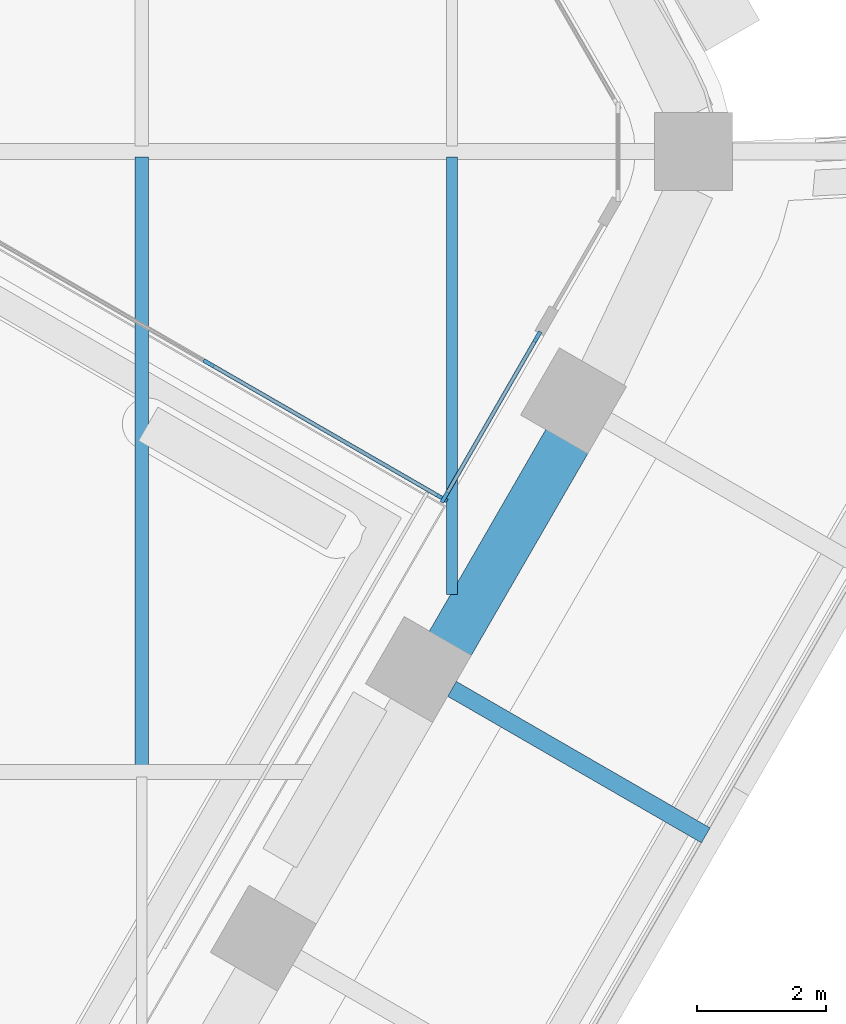
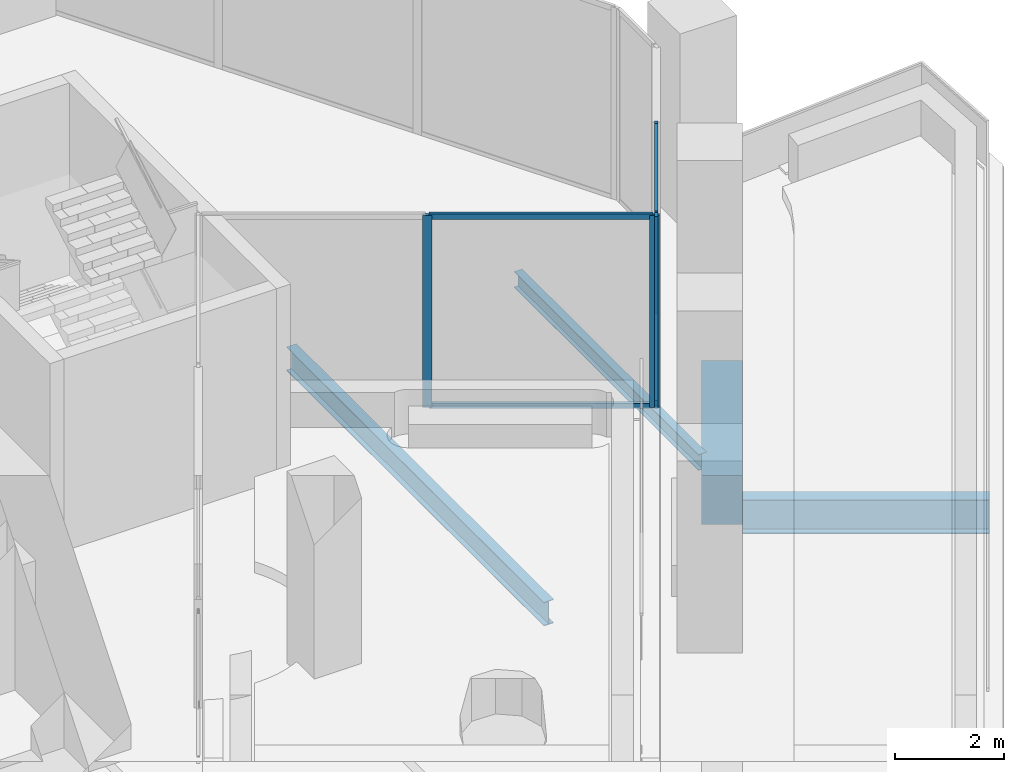
# One storey, part 6 of 25: 8 members, 4 beams, 2 elements without a shape of their own.
"""IFC4 building model written with IfcOpenShell, lengths in metres."""

from ifc_helpers import new_model, si_unit, direction, frame, origin, origin_2d, place, context, subcontext, project, spatial, rectangle, i_section, extrude, material, material_profile, profile_set, type_object, element, aggregate, save


model = new_model("IFC4")

# Units and contexts
model_context = context("Model", 3, precision=1e-05, world=origin(), true_north=direction((0.0, 1.0)))
body_context = subcontext(model_context, "Body", "Model", "MODEL_VIEW")
ifc_project = project(units=[si_unit("LENGTHUNIT", "METRE"), si_unit("AREAUNIT", "SQUARE_METRE"), si_unit("VOLUMEUNIT", "CUBIC_METRE"), si_unit("PLANEANGLEUNIT", "RADIAN"), si_unit("MASSUNIT", "GRAM", prefix="KILO")], contexts=[model_context])

# Site, building, storey
site_placement = place(None, origin())
site = spatial("IfcSite", under=ifc_project, at=site_placement, CompositionType="ELEMENT")
building_placement = place(site_placement, origin())
building = spatial("IfcBuilding", under=site, at=building_placement, Name="Kolab Exchange Tower", CompositionType="ELEMENT")
storey_placement = place(building_placement, frame((0.0, 0.0, 91.39990234375)))
storey = spatial("IfcBuildingStorey", under=building, at=storey_placement, Name="L17", CompositionType="ELEMENT", Elevation=91.39990234375)

# Beams
ifc_material_1 = material(Name="Steel S355", Category="steel")
ifc_material_profile_1 = material_profile(ifc_material_1, i_section(OverallWidth=0.1708984375, OverallDepth=0.35498046875, WebThickness=0.007080078125, FlangeThickness=0.01171875, at=origin_2d()), Name="W360X51")
ifc_profile_set_1 = profile_set([ifc_material_profile_1], Name="Steel S355")
beam_type_1 = type_object("IfcBeamType", Name="FLOOR BEAM W360X51", PredefinedType="BEAM", material=ifc_profile_set_1)
beam_1_placement = place(storey_placement, frame((28.800048828125, -6.853759765625, -0.37744140625), z_axis=(0.0, 1.0, 0.0), x_axis=(-1.0, 0.0, 0.0)))
element("IfcBeam", 1, at=beam_1_placement, inside=storey, type_object=beam_type_1, Name="beam/L17/fr/050", PredefinedType="BEAM", context=body_context, shape_type="SweptSolid", body=[
    extrude(i_section(OverallWidth=0.1708984375, OverallDepth=0.35498046875, WebThickness=0.007080078125, FlangeThickness=0.01171875, at=origin_2d()), origin(), (0.0, 0.0, 1.0), 6.766845703125),
])
ifc_material_profile_2 = material_profile(ifc_material_1, i_section(OverallWidth=0.208984375, OverallDepth=0.532958984375, WebThickness=0.01025390625, FlangeThickness=0.015625, at=origin_2d()), Name="W530X92")
ifc_profile_set_2 = profile_set([ifc_material_profile_2], Name="Steel S355")
beam_type_2 = type_object("IfcBeamType", Name="FLOOR BEAM W530X92", PredefinedType="BEAM", material=ifc_profile_set_2)
beam_2_placement = place(storey_placement, frame((24.0, -9.52587890625, -0.46630859375), z_axis=(0.0, 1.0, 0.0), x_axis=(-1.0, 0.0, 0.0)))
element("IfcBeam", 2, at=beam_2_placement, inside=storey, type_object=beam_type_2, Name="beam/L17/fr/047", PredefinedType="BEAM", context=body_context, shape_type="SweptSolid", body=[
    extrude(i_section(OverallWidth=0.208984375, OverallDepth=0.532958984375, WebThickness=0.01025390625, FlangeThickness=0.015625, at=origin_2d()), origin(), (0.0, 0.0, 1.0), 9.43896484375),
])
ifc_material_profile_3 = material_profile(ifc_material_1, i_section(OverallWidth=0.26708984375, OverallDepth=0.761962890625, WebThickness=0.014404296875, FlangeThickness=0.021484375, at=origin_2d()), Name="W760X173")
ifc_profile_set_3 = profile_set([ifc_material_profile_3], Name="Steel S355")
beam_type_3 = type_object("IfcBeamType", Name="FLOOR GIRDER W760X173", PredefinedType="BEAM", material=ifc_profile_set_3)
beam_3_placement = place(storey_placement, frame((28.800048828125, -8.313720703125, -0.640869140625), z_axis=(0.866007095043, -0.500031710329, 0.0), x_axis=(0.500031710329, 0.866007095043, 0.0)))
element("IfcBeam", 3, at=beam_3_placement, inside=storey, type_object=beam_type_3, Name="beam/L17/ledge/rib-02", PredefinedType="BEAM", context=body_context, shape_type="SweptSolid", body=[
    extrude(i_section(OverallWidth=0.26708984375, OverallDepth=0.761962890625, WebThickness=0.014404296875, FlangeThickness=0.021484375, at=origin_2d()), origin(), (0.0, 0.0, 1.0), 4.532958984375),
])
ifc_material_2 = material(Name="Concrete C70/85", Category="concrete")
ifc_material_profile_4 = material_profile(ifc_material_2, rectangle(XDim=0.75, YDim=1.10009765625, at=origin_2d()), Name="RC750X1100")
ifc_profile_set_4 = profile_set([ifc_material_profile_4], Name="Concrete C70/85")
beam_type_4 = type_object("IfcBeamType", Name="SPANDREL BEAM 750X1100 C70/85", PredefinedType="BEAM", material=ifc_profile_set_4)
beam_4_placement = place(storey_placement, frame((30.59521484375, -4.454345703125, -0.75), z_axis=(-0.500013413428, -0.866017659399, 0.0), x_axis=(0.866017659399, -0.500013413428, 0.0)))
element("IfcBeam", 4, at=beam_4_placement, inside=storey, type_object=beam_type_4, Name="beam/L17/sp/F3-02", PredefinedType="BEAM", context=body_context, shape_type="SweptSolid", body=[
    extrude(rectangle(XDim=0.75, YDim=1.10009765625, at=origin_2d()), origin(), (0.0, 0.0, 1.0), 3.68017578125),
])

# Curtain wall, members
ifc_material_3 = material(Name="Aluminium EN AW-6063 T6", Category="aluminium")
curtain_wall_type = type_object("IfcCurtainWallType", Name="UNITISED LOWER MID ZONE CURTAIN WALL", PredefinedType="NOTDEFINED", material=ifc_material_3)
curtain_wall_1_placement = place(storey_placement, origin())
curtain_wall_1 = element("IfcCurtainWall", 5, at=curtain_wall_1_placement, inside=storey, type_object=curtain_wall_type, Name="cw/L17/F3-l-1", PredefinedType="NOTDEFINED")
ifc_material_profile_5 = material_profile(ifc_material_3, rectangle(XDim=0.06005859375, YDim=0.179931640625, at=origin_2d()), Name="RECT 60X180")
ifc_profile_set_5 = profile_set([ifc_material_profile_5], Name="Aluminium EN AW-6063 T6")
member_type_1 = type_object("IfcMemberType", Name="UNITISED LOWER MID ZONE MULLION 60 X 180", PredefinedType="MULLION", material=ifc_profile_set_5)
member_1_placement = place(storey_placement, frame((30.12060546875, -2.866455078125, 0.0), z_axis=(0.0, 0.0, 1.0), x_axis=(0.866025459373, -0.499999903717, 0.0)))
member_1 = element("IfcMember", 6, at=member_1_placement, type_object=member_type_1, Name="CW2 mullion 1", PredefinedType="MULLION", context=body_context, shape_type="SweptSolid", body=[
    extrude(rectangle(XDim=0.06005859375, YDim=0.179931640625, at=origin_2d()), origin(), (0.0, 0.0, 1.0), 4.300048828125),
])
member_2_placement = place(storey_placement, frame((28.686767578125, -5.35009765625, 0.0), z_axis=(0.0, 0.0, 1.0), x_axis=(0.866025459373, -0.499999903717, 0.0)))
member_2 = element("IfcMember", 7, at=member_2_placement, type_object=member_type_1, Name="CW2 mullion 2", PredefinedType="MULLION", context=body_context, shape_type="SweptSolid", body=[
    extrude(rectangle(XDim=0.06005859375, YDim=0.179931640625, at=origin_2d()), origin(), (0.0, 0.0, 1.0), 4.300048828125),
])

curtain_wall_2_placement = place(storey_placement, origin())
curtain_wall_2 = element("IfcCurtainWall", 8, at=curtain_wall_2_placement, inside=storey, type_object=curtain_wall_type, Name="cw/L17/F3-rl-1", PredefinedType="NOTDEFINED")
member_3_placement = place(storey_placement, frame((28.645751953125, -5.361083984375, 0.0), z_axis=(0.0, 0.0, 1.0), x_axis=(-0.499999968652, -0.866025421884, 0.0)))
member_3 = element("IfcMember", 9, at=member_3_placement, type_object=member_type_1, Name="CW2 mullion 1", PredefinedType="MULLION", context=body_context, shape_type="SweptSolid", body=[
    extrude(rectangle(XDim=0.06005859375, YDim=0.179931640625, at=origin_2d()), origin(), (0.0, 0.0, 1.0), 4.300048828125),
])
member_4_placement = place(storey_placement, frame((25.034423828125, -3.276123046875, 0.0), z_axis=(0.0, 0.0, 1.0), x_axis=(-0.499999968652, -0.866025421884, 0.0)))
member_4 = element("IfcMember", 10, at=member_4_placement, type_object=member_type_1, Name="CW2 mullion 2", PredefinedType="MULLION", context=body_context, shape_type="SweptSolid", body=[
    extrude(rectangle(XDim=0.06005859375, YDim=0.179931640625, at=origin_2d()), origin(), (0.0, 0.0, 1.0), 4.300048828125),
])

# Member
ifc_material_profile_6 = material_profile(ifc_material_3, rectangle(XDim=0.06005859375, YDim=0.1201171875, at=origin_2d()), Name="RECT 60X120")
ifc_profile_set_6 = profile_set([ifc_material_profile_6], Name="Aluminium EN AW-6063 T6")
member_type_2 = type_object("IfcMemberType", Name="UNITISED LOWER MID ZONE TRANSOM 60 X 120", PredefinedType="USERDEFINED", material=ifc_profile_set_6)
member_5_placement = place(storey_placement, frame((30.105712890625, -2.892333984375, 0.030029296875), z_axis=(-0.500000910839, -0.866024877911, 0.0), x_axis=(0.866024877911, -0.500000910839, 0.0)))
member_5 = element("IfcMember", 11, at=member_5_placement, type_object=member_type_2, Name="CW2 transom 1.1", ObjectType="TRANSOM", PredefinedType="USERDEFINED", context=body_context, shape_type="SweptSolid", body=[
    extrude(rectangle(XDim=0.06005859375, YDim=0.1201171875, at=origin_2d()), origin(), (0.0, 0.0, 1.0), 2.80810546875),
])

member_6_placement = place(storey_placement, frame((30.105712890625, -2.892333984375, 4.27001953125), z_axis=(-0.500000910839, -0.866024877911, 0.0), x_axis=(0.866024877911, -0.500000910839, 0.0)))
member_6 = element("IfcMember", 12, at=member_6_placement, type_object=member_type_2, Name="CW2 transom 1.2", ObjectType="TRANSOM", PredefinedType="USERDEFINED", context=body_context, shape_type="SweptSolid", body=[
    extrude(rectangle(XDim=0.06005859375, YDim=0.1201171875, at=origin_2d()), origin(), (0.0, 0.0, 1.0), 2.80810546875),
])

aggregate(curtain_wall_1, [member_1, member_2, member_5, member_6])

member_7_placement = place(storey_placement, frame((28.61962890625, -5.34619140625, 0.030029296875), z_axis=(-0.866004557827, 0.500036104519, 0.0), x_axis=(-0.500036104519, -0.866004557827, 0.0)))
member_7 = element("IfcMember", 13, at=member_7_placement, type_object=member_type_2, Name="CW2 transom 1.1", ObjectType="TRANSOM", PredefinedType="USERDEFINED", context=body_context, shape_type="SweptSolid", body=[
    extrude(rectangle(XDim=0.06005859375, YDim=0.1201171875, at=origin_2d()), origin(), (0.0, 0.0, 1.0), 4.110107421875),
])

member_8_placement = place(storey_placement, frame((28.61962890625, -5.34619140625, 4.27001953125), z_axis=(-0.866004557827, 0.500036104519, 0.0), x_axis=(-0.500036104519, -0.866004557827, 0.0)))
member_8 = element("IfcMember", 14, at=member_8_placement, type_object=member_type_2, Name="CW2 transom 1.2", ObjectType="TRANSOM", PredefinedType="USERDEFINED", context=body_context, shape_type="SweptSolid", body=[
    extrude(rectangle(XDim=0.06005859375, YDim=0.1201171875, at=origin_2d()), origin(), (0.0, 0.0, 1.0), 4.110107421875),
])

aggregate(curtain_wall_2, [member_3, member_4, member_7, member_8])

save(model, "model.ifc")
